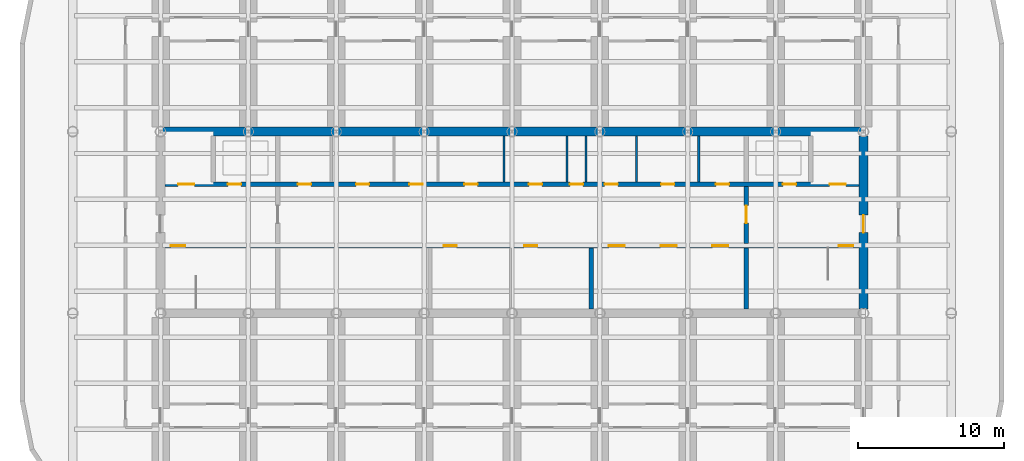
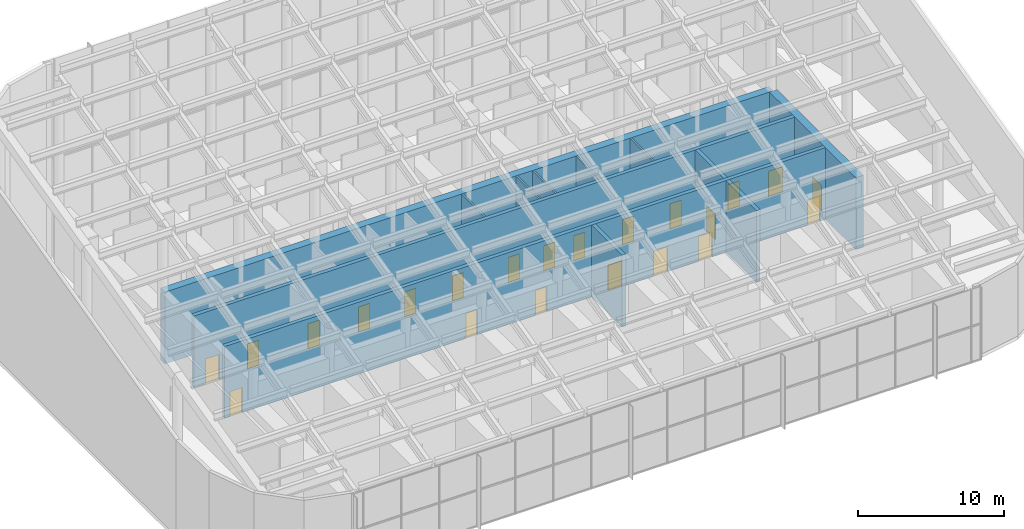
# One storey, part 11 of 14: 22 doors, 12 walls, 22 openings.
"""IFC4 building model written with IfcOpenShell, lengths in metres."""

from ifc_helpers import new_model, si_unit, direction, frame, frame_2d, origin, place, context, subcontext, project, spatial, rectangle, extrude, material, layer, layer_set, type_object, element, fill, save


model = new_model("IFC4")

# Units and contexts
model_context = context("Model", 3, precision=1e-05, world=origin(), true_north=direction((0.0, 1.0)))
body_context = subcontext(model_context, "Body", "Model", "MODEL_VIEW")
ifc_project = project(units=[si_unit("LENGTHUNIT", "METRE"), si_unit("AREAUNIT", "SQUARE_METRE"), si_unit("VOLUMEUNIT", "CUBIC_METRE"), si_unit("PLANEANGLEUNIT", "RADIAN"), si_unit("MASSUNIT", "GRAM", prefix="KILO")], contexts=[model_context])

# Site, building, storey
site_placement = place(None, origin())
site = spatial("IfcSite", under=ifc_project, at=site_placement, CompositionType="ELEMENT")
building_placement = place(site_placement, origin())
building = spatial("IfcBuilding", under=site, at=building_placement, Name="Orbita Commons", CompositionType="ELEMENT")
storey_placement = place(building_placement, frame((0.0, 0.0, 262.300048828125)))
storey = spatial("IfcBuildingStorey", under=building, at=storey_placement, Name="L65", CompositionType="ELEMENT", Elevation=262.300048828125)

# Wall, openings, doors
ifc_material_1 = material(Name="Concrete C50/60", Category="concrete")
ifc_layer_1 = layer(ifc_material_1, 0.300048828125)
ifc_layer_set_1 = layer_set([ifc_layer_1], Name="Concrete C50/60")
wall_type_1 = type_object("IfcWallType", Name="Core inner wall 300 C50/60", PredefinedType="SHEAR", material=ifc_layer_set_1)
wall_1_placement = place(storey_placement, frame((18.300048828125, 30.39990234375, 0.0), z_axis=(0.0, 0.0, 1.0), x_axis=(1.0, 0.0, 0.0)))
wall_1 = element("IfcWall", 1, at=wall_1_placement, inside=storey, type_object=wall_type_1, Name="Lobby wall south L65", PredefinedType="SHEAR", context=body_context, shape_type="SweptSolid", body=[
    extrude(rectangle(XDim=47.39990234375, YDim=0.300048828125, at=frame_2d((23.699951171875, 0.0))), origin(), (0.0, 0.0, 1.0), 6.0),
])
opening_1_placement = place(wall_1_placement, frame((0.39990234375, 0.0, 0.0)))
opening_1 = element("IfcOpeningElement", 2, at=opening_1_placement, cuts=wall_1, Name="Opening D02", PredefinedType="OPENING", context=body_context, shape_type="SweptSolid", body=[
    extrude(rectangle(XDim=1.0, YDim=2.10009765625, at=frame_2d((0.5, 1.050048828125))), frame((0.0, 0.159912109375, 0.0), z_axis=(0.0, -1.0, 0.0), x_axis=(1.0, 0.0, 0.0)), (0.0, 0.0, 1.0), 0.320068359375),
])
opening_2_placement = place(wall_1_placement, frame((46.0, 0.0, 0.0)))
opening_2 = element("IfcOpeningElement", 3, at=opening_2_placement, cuts=wall_1, Name="Opening D02", PredefinedType="OPENING", context=body_context, shape_type="SweptSolid", body=[
    extrude(rectangle(XDim=1.0, YDim=2.10009765625, at=frame_2d((0.5, 1.050048828125))), frame((0.0, 0.159912109375, 0.0), z_axis=(0.0, -1.0, 0.0), x_axis=(1.0, 0.0, 0.0)), (0.0, 0.0, 1.0), 0.320068359375),
])
opening_3_placement = place(wall_1_placement, frame((19.02490234375, 0.0, 0.0)))
opening_3 = element("IfcOpeningElement", 4, at=opening_3_placement, cuts=wall_1, Name="Opening D05", PredefinedType="OPENING", context=body_context, shape_type="SweptSolid", body=[
    extrude(rectangle(XDim=0.89990234375, YDim=2.10009765625, at=frame_2d((0.449951171875, 1.050048828125))), frame((0.0, 0.159912109375, 0.0), z_axis=(0.0, -1.0, 0.0), x_axis=(1.0, 0.0, 0.0)), (0.0, 0.0, 1.0), 0.320068359375),
])
opening_4_placement = place(wall_1_placement, frame((24.52490234375, 0.0, 0.0)))
opening_4 = element("IfcOpeningElement", 5, at=opening_4_placement, cuts=wall_1, Name="Opening D05", PredefinedType="OPENING", context=body_context, shape_type="SweptSolid", body=[
    extrude(rectangle(XDim=0.89990234375, YDim=2.10009765625, at=frame_2d((0.449951171875, 1.050048828125))), frame((0.0, 0.159912109375, 0.0), z_axis=(0.0, -1.0, 0.0), x_axis=(1.0, 0.0, 0.0)), (0.0, 0.0, 1.0), 0.320068359375),
])
opening_5_placement = place(wall_1_placement, frame((30.316650390625, 0.0, 0.0)))
opening_5 = element("IfcOpeningElement", 6, at=opening_5_placement, cuts=wall_1, Name="Opening LD02", PredefinedType="OPENING", context=body_context, shape_type="SweptSolid", body=[
    extrude(rectangle(XDim=1.10009765625, YDim=2.10009765625, at=frame_2d((0.550048828125, 1.050048828125))), frame((0.0, 0.159912109375, 0.0), z_axis=(0.0, -1.0, 0.0), x_axis=(1.0, 0.0, 0.0)), (0.0, 0.0, 1.0), 0.320068359375),
])
opening_6_placement = place(wall_1_placement, frame((33.85009765625, 0.0, 0.0)))
opening_6 = element("IfcOpeningElement", 7, at=opening_6_placement, cuts=wall_1, Name="Opening LD02", PredefinedType="OPENING", context=body_context, shape_type="SweptSolid", body=[
    extrude(rectangle(XDim=1.10009765625, YDim=2.10009765625, at=frame_2d((0.550048828125, 1.050048828125))), frame((0.0, 0.159912109375, 0.0), z_axis=(0.0, -1.0, 0.0), x_axis=(1.0, 0.0, 0.0)), (0.0, 0.0, 1.0), 0.320068359375),
])
opening_7_placement = place(wall_1_placement, frame((37.38330078125, 0.0, 0.0)))
opening_7 = element("IfcOpeningElement", 8, at=opening_7_placement, cuts=wall_1, Name="Opening LD02", PredefinedType="OPENING", context=body_context, shape_type="SweptSolid", body=[
    extrude(rectangle(XDim=1.10009765625, YDim=2.10009765625, at=frame_2d((0.550048828125, 1.050048828125))), frame((0.0, 0.159912109375, 0.0), z_axis=(0.0, -1.0, 0.0), x_axis=(1.0, 0.0, 0.0)), (0.0, 0.0, 1.0), 0.320068359375),
])
ifc_material_2 = material(Name="Steel-faced fire door leaf", Category="steel")
door_type_1 = type_object("IfcDoorType", Name="Fire door 90 min 1000x2100", OperationType="SINGLE_SWING_LEFT", PredefinedType="DOOR", material=ifc_material_2)
door_1_placement = place(opening_1_placement, origin())
door_1 = element("IfcDoor", 9, at=door_1_placement, inside=storey, type_object=door_type_1, Name="Stair S1 door", OperationType="SINGLE_SWING_LEFT", OverallHeight=2.10009765625, OverallWidth=1.0, PredefinedType="DOOR", context=body_context, shape_type="SweptSolid", body=[
    extrude(rectangle(XDim=1.0, YDim=2.10009765625, at=frame_2d((0.5, 1.050048828125))), frame((0.0, 0.02490234375, 0.0), z_axis=(0.0, -1.0, 0.0), x_axis=(1.0, 0.0, 0.0)), (0.0, 0.0, 1.0), 0.050048828125),
])
fill(opening_1, door_1)
door_2_placement = place(opening_2_placement, origin())
door_2 = element("IfcDoor", 10, at=door_2_placement, inside=storey, type_object=door_type_1, Name="Stair S2 door", OperationType="SINGLE_SWING_LEFT", OverallHeight=2.10009765625, OverallWidth=1.0, PredefinedType="DOOR", context=body_context, shape_type="SweptSolid", body=[
    extrude(rectangle(XDim=1.0, YDim=2.10009765625, at=frame_2d((0.5, 1.050048828125))), frame((0.0, 0.02490234375, 0.0), z_axis=(0.0, -1.0, 0.0), x_axis=(1.0, 0.0, 0.0)), (0.0, 0.0, 1.0), 0.050048828125),
])
fill(opening_2, door_2)
ifc_material_3 = material(Name="Steel-faced fire door leaf", Category="steel")
door_type_2 = type_object("IfcDoorType", Name="Lift landing door 1100x2100", OperationType="DOUBLE_DOOR_SLIDING", PredefinedType="DOOR", material=ifc_material_3)
door_3_placement = place(opening_5_placement, origin())
door_3 = element("IfcDoor", 11, at=door_3_placement, inside=storey, type_object=door_type_2, Name="Lift SV1 landing door", OperationType="DOUBLE_DOOR_SLIDING", OverallHeight=2.10009765625, OverallWidth=1.10009765625, PredefinedType="DOOR", context=body_context, shape_type="SweptSolid", body=[
    extrude(rectangle(XDim=1.10009765625, YDim=2.10009765625, at=frame_2d((0.550048828125, 1.050048828125))), frame((0.0, 0.02490234375, 0.0), z_axis=(0.0, -1.0, 0.0), x_axis=(1.0, 0.0, 0.0)), (0.0, 0.0, 1.0), 0.050048828125),
])
fill(opening_5, door_3)
door_4_placement = place(opening_6_placement, origin())
door_4 = element("IfcDoor", 12, at=door_4_placement, inside=storey, type_object=door_type_2, Name="Lift SV2 landing door", OperationType="DOUBLE_DOOR_SLIDING", OverallHeight=2.10009765625, OverallWidth=1.10009765625, PredefinedType="DOOR", context=body_context, shape_type="SweptSolid", body=[
    extrude(rectangle(XDim=1.10009765625, YDim=2.10009765625, at=frame_2d((0.550048828125, 1.050048828125))), frame((0.0, 0.02490234375, 0.0), z_axis=(0.0, -1.0, 0.0), x_axis=(1.0, 0.0, 0.0)), (0.0, 0.0, 1.0), 0.050048828125),
])
fill(opening_6, door_4)
door_5_placement = place(opening_7_placement, origin())
door_5 = element("IfcDoor", 13, at=door_5_placement, inside=storey, type_object=door_type_2, Name="Lift SV3 landing door", OperationType="DOUBLE_DOOR_SLIDING", OverallHeight=2.10009765625, OverallWidth=1.10009765625, PredefinedType="DOOR", context=body_context, shape_type="SweptSolid", body=[
    extrude(rectangle(XDim=1.10009765625, YDim=2.10009765625, at=frame_2d((0.550048828125, 1.050048828125))), frame((0.0, 0.02490234375, 0.0), z_axis=(0.0, -1.0, 0.0), x_axis=(1.0, 0.0, 0.0)), (0.0, 0.0, 1.0), 0.050048828125),
])
fill(opening_7, door_5)
ifc_material_4 = material(Name="Steel-faced fire door leaf", Category="steel")
door_type_3 = type_object("IfcDoorType", Name="Service door 20 min 900x2100", OperationType="SINGLE_SWING_LEFT", PredefinedType="DOOR", material=ifc_material_4)
door_6_placement = place(opening_3_placement, origin())
door_6 = element("IfcDoor", 14, at=door_6_placement, inside=storey, type_object=door_type_3, Name="Housekeeping store door", OperationType="SINGLE_SWING_LEFT", OverallHeight=2.10009765625, OverallWidth=0.89990234375, PredefinedType="DOOR", context=body_context, shape_type="SweptSolid", body=[
    extrude(rectangle(XDim=0.89990234375, YDim=2.10009765625, at=frame_2d((0.449951171875, 1.050048828125))), frame((0.0, 0.02490234375, 0.0), z_axis=(0.0, -1.0, 0.0), x_axis=(1.0, 0.0, 0.0)), (0.0, 0.0, 1.0), 0.050048828125),
])
fill(opening_3, door_6)
door_7_placement = place(opening_4_placement, origin())
door_7 = element("IfcDoor", 15, at=door_7_placement, inside=storey, type_object=door_type_3, Name="Linen store door", OperationType="SINGLE_SWING_LEFT", OverallHeight=2.10009765625, OverallWidth=0.89990234375, PredefinedType="DOOR", context=body_context, shape_type="SweptSolid", body=[
    extrude(rectangle(XDim=0.89990234375, YDim=2.10009765625, at=frame_2d((0.449951171875, 1.050048828125))), frame((0.0, 0.02490234375, 0.0), z_axis=(0.0, -1.0, 0.0), x_axis=(1.0, 0.0, 0.0)), (0.0, 0.0, 1.0), 0.050048828125),
])
fill(opening_4, door_7)

wall_2_placement = place(storey_placement, frame((18.300048828125, 34.60009765625, 0.0), z_axis=(0.0, 0.0, 1.0), x_axis=(1.0, 0.0, 0.0)))
wall_2 = element("IfcWall", 16, at=wall_2_placement, inside=storey, type_object=wall_type_1, Name="Lobby wall north L65", PredefinedType="SHEAR", context=body_context, shape_type="SweptSolid", body=[
    extrude(rectangle(XDim=47.39990234375, YDim=0.300048828125, at=frame_2d((23.699951171875, 0.0))), origin(), (0.0, 0.0, 1.0), 6.0),
])
opening_8_placement = place(wall_2_placement, frame((0.89990234375, 0.0, 0.0)))
opening_8 = element("IfcOpeningElement", 17, at=opening_8_placement, cuts=wall_2, Name="Opening LD01", PredefinedType="OPENING", context=body_context, shape_type="SweptSolid", body=[
    extrude(rectangle(XDim=1.10009765625, YDim=2.10009765625, at=frame_2d((0.550048828125, 1.050048828125))), frame((0.0, 0.159912109375, 0.0), z_axis=(0.0, -1.0, 0.0), x_axis=(1.0, 0.0, 0.0)), (0.0, 0.0, 1.0), 0.320068359375),
])
opening_9_placement = place(wall_2_placement, frame((45.39990234375, 0.0, 0.0)))
opening_9 = element("IfcOpeningElement", 18, at=opening_9_placement, cuts=wall_2, Name="Opening LD01", PredefinedType="OPENING", context=body_context, shape_type="SweptSolid", body=[
    extrude(rectangle(XDim=1.10009765625, YDim=2.10009765625, at=frame_2d((0.550048828125, 1.050048828125))), frame((0.0, 0.159912109375, 0.0), z_axis=(0.0, -1.0, 0.0), x_axis=(1.0, 0.0, 0.0)), (0.0, 0.0, 1.0), 0.320068359375),
])
opening_10_placement = place(wall_2_placement, frame((4.300048828125, 0.0, 0.0)))
opening_10 = element("IfcOpeningElement", 19, at=opening_10_placement, cuts=wall_2, Name="Opening D03", PredefinedType="OPENING", context=body_context, shape_type="SweptSolid", body=[
    extrude(rectangle(XDim=0.89990234375, YDim=2.10009765625, at=frame_2d((0.449951171875, 1.050048828125))), frame((0.0, 0.159912109375, 0.0), z_axis=(0.0, -1.0, 0.0), x_axis=(1.0, 0.0, 0.0)), (0.0, 0.0, 1.0), 0.320068359375),
])
opening_11_placement = place(wall_2_placement, frame((42.199951171875, 0.0, 0.0)))
opening_11 = element("IfcOpeningElement", 20, at=opening_11_placement, cuts=wall_2, Name="Opening D03", PredefinedType="OPENING", context=body_context, shape_type="SweptSolid", body=[
    extrude(rectangle(XDim=0.89990234375, YDim=2.10009765625, at=frame_2d((0.449951171875, 1.050048828125))), frame((0.0, 0.159912109375, 0.0), z_axis=(0.0, -1.0, 0.0), x_axis=(1.0, 0.0, 0.0)), (0.0, 0.0, 1.0), 0.320068359375),
])
opening_12_placement = place(wall_2_placement, frame((9.075439453125, 0.0, 0.0)))
opening_12 = element("IfcOpeningElement", 21, at=opening_12_placement, cuts=wall_2, Name="Opening D05", PredefinedType="OPENING", context=body_context, shape_type="SweptSolid", body=[
    extrude(rectangle(XDim=0.89990234375, YDim=2.10009765625, at=frame_2d((0.449951171875, 1.050048828125))), frame((0.0, 0.159912109375, 0.0), z_axis=(0.0, -1.0, 0.0), x_axis=(1.0, 0.0, 0.0)), (0.0, 0.0, 1.0), 0.320068359375),
])
opening_13_placement = place(wall_2_placement, frame((13.048583984375, 0.0, 0.0)))
opening_13 = element("IfcOpeningElement", 22, at=opening_13_placement, cuts=wall_2, Name="Opening D03", PredefinedType="OPENING", context=body_context, shape_type="SweptSolid", body=[
    extrude(rectangle(XDim=0.89990234375, YDim=2.10009765625, at=frame_2d((0.449951171875, 1.050048828125))), frame((0.0, 0.159912109375, 0.0), z_axis=(0.0, -1.0, 0.0), x_axis=(1.0, 0.0, 0.0)), (0.0, 0.0, 1.0), 0.320068359375),
])
opening_14_placement = place(wall_2_placement, frame((16.6962890625, 0.0, 0.0)))
opening_14 = element("IfcOpeningElement", 23, at=opening_14_placement, cuts=wall_2, Name="Opening D03", PredefinedType="OPENING", context=body_context, shape_type="SweptSolid", body=[
    extrude(rectangle(XDim=0.89990234375, YDim=2.10009765625, at=frame_2d((0.449951171875, 1.050048828125))), frame((0.0, 0.159912109375, 0.0), z_axis=(0.0, -1.0, 0.0), x_axis=(1.0, 0.0, 0.0)), (0.0, 0.0, 1.0), 0.320068359375),
])
opening_15_placement = place(wall_2_placement, frame((20.45458984375, 0.0, 0.0)))
opening_15 = element("IfcOpeningElement", 24, at=opening_15_placement, cuts=wall_2, Name="Opening D03", PredefinedType="OPENING", context=body_context, shape_type="SweptSolid", body=[
    extrude(rectangle(XDim=0.89990234375, YDim=2.10009765625, at=frame_2d((0.449951171875, 1.050048828125))), frame((0.0, 0.159912109375, 0.0), z_axis=(0.0, -1.0, 0.0), x_axis=(1.0, 0.0, 0.0)), (0.0, 0.0, 1.0), 0.320068359375),
])
opening_16_placement = place(wall_2_placement, frame((24.860595703125, 0.0, 0.0)))
opening_16 = element("IfcOpeningElement", 25, at=opening_16_placement, cuts=wall_2, Name="Opening D03", PredefinedType="OPENING", context=body_context, shape_type="SweptSolid", body=[
    extrude(rectangle(XDim=0.89990234375, YDim=2.10009765625, at=frame_2d((0.449951171875, 1.050048828125))), frame((0.0, 0.159912109375, 0.0), z_axis=(0.0, -1.0, 0.0), x_axis=(1.0, 0.0, 0.0)), (0.0, 0.0, 1.0), 0.320068359375),
])
opening_17_placement = place(wall_2_placement, frame((27.658447265625, 0.0, 0.0)))
opening_17 = element("IfcOpeningElement", 26, at=opening_17_placement, cuts=wall_2, Name="Opening D03", PredefinedType="OPENING", context=body_context, shape_type="SweptSolid", body=[
    extrude(rectangle(XDim=0.89990234375, YDim=2.10009765625, at=frame_2d((0.449951171875, 1.050048828125))), frame((0.0, 0.159912109375, 0.0), z_axis=(0.0, -1.0, 0.0), x_axis=(1.0, 0.0, 0.0)), (0.0, 0.0, 1.0), 0.320068359375),
])
opening_18_placement = place(wall_2_placement, frame((30.03076171875, 0.0, 0.0)))
opening_18 = element("IfcOpeningElement", 27, at=opening_18_placement, cuts=wall_2, Name="Opening D03", PredefinedType="OPENING", context=body_context, shape_type="SweptSolid", body=[
    extrude(rectangle(XDim=0.89990234375, YDim=2.10009765625, at=frame_2d((0.449951171875, 1.050048828125))), frame((0.0, 0.159912109375, 0.0), z_axis=(0.0, -1.0, 0.0), x_axis=(1.0, 0.0, 0.0)), (0.0, 0.0, 1.0), 0.320068359375),
])
opening_19_placement = place(wall_2_placement, frame((33.880615234375, 0.0, 0.0)))
opening_19 = element("IfcOpeningElement", 28, at=opening_19_placement, cuts=wall_2, Name="Opening D05", PredefinedType="OPENING", context=body_context, shape_type="SweptSolid", body=[
    extrude(rectangle(XDim=0.89990234375, YDim=2.10009765625, at=frame_2d((0.449951171875, 1.050048828125))), frame((0.0, 0.159912109375, 0.0), z_axis=(0.0, -1.0, 0.0), x_axis=(1.0, 0.0, 0.0)), (0.0, 0.0, 1.0), 0.320068359375),
])
opening_20_placement = place(wall_2_placement, frame((37.62890625, 0.0, 0.0)))
opening_20 = element("IfcOpeningElement", 29, at=opening_20_placement, cuts=wall_2, Name="Opening D03", PredefinedType="OPENING", context=body_context, shape_type="SweptSolid", body=[
    extrude(rectangle(XDim=0.89990234375, YDim=2.10009765625, at=frame_2d((0.449951171875, 1.050048828125))), frame((0.0, 0.159912109375, 0.0), z_axis=(0.0, -1.0, 0.0), x_axis=(1.0, 0.0, 0.0)), (0.0, 0.0, 1.0), 0.320068359375),
])
ifc_material_5 = material(Name="Steel-faced fire door leaf", Category="steel")
door_type_4 = type_object("IfcDoorType", Name="Firefighting lift landing door 1100x2100", OperationType="DOUBLE_DOOR_SLIDING", PredefinedType="DOOR", material=ifc_material_5)
door_8_placement = place(opening_8_placement, origin())
door_8 = element("IfcDoor", 30, at=door_8_placement, inside=storey, type_object=door_type_4, Name="Firefighting lift FL1 landing door", OperationType="DOUBLE_DOOR_SLIDING", OverallHeight=2.10009765625, OverallWidth=1.10009765625, PredefinedType="DOOR", context=body_context, shape_type="SweptSolid", body=[
    extrude(rectangle(XDim=1.10009765625, YDim=2.10009765625, at=frame_2d((0.550048828125, 1.050048828125))), frame((0.0, 0.02490234375, 0.0), z_axis=(0.0, -1.0, 0.0), x_axis=(1.0, 0.0, 0.0)), (0.0, 0.0, 1.0), 0.050048828125),
])
fill(opening_8, door_8)
door_9_placement = place(opening_9_placement, origin())
door_9 = element("IfcDoor", 31, at=door_9_placement, inside=storey, type_object=door_type_4, Name="Firefighting lift FL2 landing door", OperationType="DOUBLE_DOOR_SLIDING", OverallHeight=2.10009765625, OverallWidth=1.10009765625, PredefinedType="DOOR", context=body_context, shape_type="SweptSolid", body=[
    extrude(rectangle(XDim=1.10009765625, YDim=2.10009765625, at=frame_2d((0.550048828125, 1.050048828125))), frame((0.0, 0.02490234375, 0.0), z_axis=(0.0, -1.0, 0.0), x_axis=(1.0, 0.0, 0.0)), (0.0, 0.0, 1.0), 0.050048828125),
])
fill(opening_9, door_9)
door_10_placement = place(opening_12_placement, origin())
door_10 = element("IfcDoor", 32, at=door_10_placement, inside=storey, type_object=door_type_3, Name="Accessible WC door", OperationType="SINGLE_SWING_LEFT", OverallHeight=2.10009765625, OverallWidth=0.89990234375, PredefinedType="DOOR", context=body_context, shape_type="SweptSolid", body=[
    extrude(rectangle(XDim=0.89990234375, YDim=2.10009765625, at=frame_2d((0.449951171875, 1.050048828125))), frame((0.0, 0.02490234375, 0.0), z_axis=(0.0, -1.0, 0.0), x_axis=(1.0, 0.0, 0.0)), (0.0, 0.0, 1.0), 0.050048828125),
])
fill(opening_12, door_10)
door_11_placement = place(opening_19_placement, origin())
door_11 = element("IfcDoor", 33, at=door_11_placement, inside=storey, type_object=door_type_3, Name="Guest pantry door", OperationType="SINGLE_SWING_LEFT", OverallHeight=2.10009765625, OverallWidth=0.89990234375, PredefinedType="DOOR", context=body_context, shape_type="SweptSolid", body=[
    extrude(rectangle(XDim=0.89990234375, YDim=2.10009765625, at=frame_2d((0.449951171875, 1.050048828125))), frame((0.0, 0.02490234375, 0.0), z_axis=(0.0, -1.0, 0.0), x_axis=(1.0, 0.0, 0.0)), (0.0, 0.0, 1.0), 0.050048828125),
])
fill(opening_19, door_11)
ifc_material_6 = material(Name="Steel-faced fire door leaf", Category="steel")
door_type_5 = type_object("IfcDoorType", Name="Shaft access door 90 min 900x2100", OperationType="SINGLE_SWING_LEFT", PredefinedType="DOOR", material=ifc_material_6)
door_12_placement = place(opening_10_placement, origin())
door_12 = element("IfcDoor", 34, at=door_12_placement, inside=storey, type_object=door_type_5, Name="Riser door west", OperationType="SINGLE_SWING_LEFT", OverallHeight=2.10009765625, OverallWidth=0.89990234375, PredefinedType="DOOR", context=body_context, shape_type="SweptSolid", body=[
    extrude(rectangle(XDim=0.89990234375, YDim=2.10009765625, at=frame_2d((0.449951171875, 1.050048828125))), frame((0.0, 0.02490234375, 0.0), z_axis=(0.0, -1.0, 0.0), x_axis=(1.0, 0.0, 0.0)), (0.0, 0.0, 1.0), 0.050048828125),
])
fill(opening_10, door_12)
door_13_placement = place(opening_11_placement, origin())
door_13 = element("IfcDoor", 35, at=door_13_placement, inside=storey, type_object=door_type_5, Name="Riser door east", OperationType="SINGLE_SWING_LEFT", OverallHeight=2.10009765625, OverallWidth=0.89990234375, PredefinedType="DOOR", context=body_context, shape_type="SweptSolid", body=[
    extrude(rectangle(XDim=0.89990234375, YDim=2.10009765625, at=frame_2d((0.449951171875, 1.050048828125))), frame((0.0, 0.02490234375, 0.0), z_axis=(0.0, -1.0, 0.0), x_axis=(1.0, 0.0, 0.0)), (0.0, 0.0, 1.0), 0.050048828125),
])
fill(opening_11, door_13)
door_14_placement = place(opening_13_placement, origin())
door_14 = element("IfcDoor", 36, at=door_14_placement, inside=storey, type_object=door_type_5, Name="Refuse chute room door", OperationType="SINGLE_SWING_LEFT", OverallHeight=2.10009765625, OverallWidth=0.89990234375, PredefinedType="DOOR", context=body_context, shape_type="SweptSolid", body=[
    extrude(rectangle(XDim=0.89990234375, YDim=2.10009765625, at=frame_2d((0.449951171875, 1.050048828125))), frame((0.0, 0.02490234375, 0.0), z_axis=(0.0, -1.0, 0.0), x_axis=(1.0, 0.0, 0.0)), (0.0, 0.0, 1.0), 0.050048828125),
])
fill(opening_13, door_14)
door_15_placement = place(opening_14_placement, origin())
door_15 = element("IfcDoor", 37, at=door_15_placement, inside=storey, type_object=door_type_5, Name="Electrical riser room door", OperationType="SINGLE_SWING_LEFT", OverallHeight=2.10009765625, OverallWidth=0.89990234375, PredefinedType="DOOR", context=body_context, shape_type="SweptSolid", body=[
    extrude(rectangle(XDim=0.89990234375, YDim=2.10009765625, at=frame_2d((0.449951171875, 1.050048828125))), frame((0.0, 0.02490234375, 0.0), z_axis=(0.0, -1.0, 0.0), x_axis=(1.0, 0.0, 0.0)), (0.0, 0.0, 1.0), 0.050048828125),
])
fill(opening_14, door_15)
door_16_placement = place(opening_15_placement, origin())
door_16 = element("IfcDoor", 38, at=door_16_placement, inside=storey, type_object=door_type_5, Name="Storage room door", OperationType="SINGLE_SWING_LEFT", OverallHeight=2.10009765625, OverallWidth=0.89990234375, PredefinedType="DOOR", context=body_context, shape_type="SweptSolid", body=[
    extrude(rectangle(XDim=0.89990234375, YDim=2.10009765625, at=frame_2d((0.449951171875, 1.050048828125))), frame((0.0, 0.02490234375, 0.0), z_axis=(0.0, -1.0, 0.0), x_axis=(1.0, 0.0, 0.0)), (0.0, 0.0, 1.0), 0.050048828125),
])
fill(opening_15, door_16)
door_17_placement = place(opening_16_placement, origin())
door_17 = element("IfcDoor", 39, at=door_17_placement, inside=storey, type_object=door_type_5, Name="Communications room door", OperationType="SINGLE_SWING_LEFT", OverallHeight=2.10009765625, OverallWidth=0.89990234375, PredefinedType="DOOR", context=body_context, shape_type="SweptSolid", body=[
    extrude(rectangle(XDim=0.89990234375, YDim=2.10009765625, at=frame_2d((0.449951171875, 1.050048828125))), frame((0.0, 0.02490234375, 0.0), z_axis=(0.0, -1.0, 0.0), x_axis=(1.0, 0.0, 0.0)), (0.0, 0.0, 1.0), 0.050048828125),
])
fill(opening_16, door_17)
door_18_placement = place(opening_17_placement, origin())
door_18 = element("IfcDoor", 40, at=door_18_placement, inside=storey, type_object=door_type_5, Name="Stair pressurisation duct door", OperationType="SINGLE_SWING_LEFT", OverallHeight=2.10009765625, OverallWidth=0.89990234375, PredefinedType="DOOR", context=body_context, shape_type="SweptSolid", body=[
    extrude(rectangle(XDim=0.89990234375, YDim=2.10009765625, at=frame_2d((0.449951171875, 1.050048828125))), frame((0.0, 0.02490234375, 0.0), z_axis=(0.0, -1.0, 0.0), x_axis=(1.0, 0.0, 0.0)), (0.0, 0.0, 1.0), 0.050048828125),
])
fill(opening_17, door_18)
door_19_placement = place(opening_18_placement, origin())
door_19 = element("IfcDoor", 41, at=door_19_placement, inside=storey, type_object=door_type_5, Name="IT room door", OperationType="SINGLE_SWING_LEFT", OverallHeight=2.10009765625, OverallWidth=0.89990234375, PredefinedType="DOOR", context=body_context, shape_type="SweptSolid", body=[
    extrude(rectangle(XDim=0.89990234375, YDim=2.10009765625, at=frame_2d((0.449951171875, 1.050048828125))), frame((0.0, 0.02490234375, 0.0), z_axis=(0.0, -1.0, 0.0), x_axis=(1.0, 0.0, 0.0)), (0.0, 0.0, 1.0), 0.050048828125),
])
fill(opening_18, door_19)
door_20_placement = place(opening_20_placement, origin())
door_20 = element("IfcDoor", 42, at=door_20_placement, inside=storey, type_object=door_type_5, Name="Cleaners store door", OperationType="SINGLE_SWING_LEFT", OverallHeight=2.10009765625, OverallWidth=0.89990234375, PredefinedType="DOOR", context=body_context, shape_type="SweptSolid", body=[
    extrude(rectangle(XDim=0.89990234375, YDim=2.10009765625, at=frame_2d((0.449951171875, 1.050048828125))), frame((0.0, 0.02490234375, 0.0), z_axis=(0.0, -1.0, 0.0), x_axis=(1.0, 0.0, 0.0)), (0.0, 0.0, 1.0), 0.050048828125),
])
fill(opening_20, door_20)

# Wall
wall_3_placement = place(storey_placement, frame((58.0, 26.10009765625, 0.0), z_axis=(0.0, 0.0, 1.0), x_axis=(0.0, 1.0, 0.0)))
element("IfcWall", 43, at=wall_3_placement, inside=storey, type_object=wall_type_1, Name="Stair S2 wall L65", PredefinedType="SHEAR", context=body_context, shape_type="SweptSolid", body=[
    extrude(rectangle(XDim=4.14990234375, YDim=0.300048828125, at=frame_2d((2.074951171875, 0.0))), origin(), (0.0, 0.0, 1.0), 6.0),
])

# Wall, opening, door
wall_4_placement = place(storey_placement, frame((58.0, 30.550048828125, 0.0), z_axis=(0.0, 0.0, 1.0), x_axis=(0.0, 1.0, 0.0)))
wall_4 = element("IfcWall", 44, at=wall_4_placement, inside=storey, type_object=wall_type_1, Name="Firefighting lobby wall east L65", PredefinedType="SHEAR", context=body_context, shape_type="SweptSolid", body=[
    extrude(rectangle(XDim=3.89990234375, YDim=0.300048828125, at=frame_2d((1.949951171875, 0.0))), origin(), (0.0, 0.0, 1.0), 6.0),
])
opening_21_placement = place(wall_4_placement, frame((1.39990234375, 0.0, 0.0)))
opening_21 = element("IfcOpeningElement", 45, at=opening_21_placement, cuts=wall_4, Name="Opening D04", PredefinedType="OPENING", context=body_context, shape_type="SweptSolid", body=[
    extrude(rectangle(XDim=1.199951171875, YDim=2.10009765625, at=frame_2d((0.60009765625, 1.050048828125))), frame((0.0, 0.159912109375, 0.0), z_axis=(0.0, -1.0, 0.0), x_axis=(1.0, 0.0, 0.0)), (0.0, 0.0, 1.0), 0.320068359375),
])
ifc_material_7 = material(Name="Steel-faced fire door leaf", Category="steel")
door_type_6 = type_object("IfcDoorType", Name="Service door 20 min 1200x2100", OperationType="SINGLE_SWING_LEFT", PredefinedType="DOOR", material=ifc_material_7)
door_21_placement = place(opening_21_placement, origin())
door_21 = element("IfcDoor", 46, at=door_21_placement, inside=storey, type_object=door_type_6, Name="Lift lobby door east", OperationType="SINGLE_SWING_LEFT", OverallHeight=2.10009765625, OverallWidth=1.199951171875, PredefinedType="DOOR", context=body_context, shape_type="SweptSolid", body=[
    extrude(rectangle(XDim=1.199951171875, YDim=2.10009765625, at=frame_2d((0.60009765625, 1.050048828125))), frame((0.0, 0.02490234375, 0.0), z_axis=(0.0, -1.0, 0.0), x_axis=(1.0, 0.0, 0.0)), (0.0, 0.0, 1.0), 0.050048828125),
])
fill(opening_21, door_21)

# Walls
wall_5_placement = place(storey_placement, frame((47.39990234375, 26.10009765625, 0.0), z_axis=(0.0, 0.0, 1.0), x_axis=(0.0, 1.0, 0.0)))
element("IfcWall", 47, at=wall_5_placement, inside=storey, type_object=wall_type_1, Name="Hoistway division wall L65", PredefinedType="SHEAR", context=body_context, shape_type="SweptSolid", body=[
    extrude(rectangle(XDim=4.14990234375, YDim=0.300048828125, at=frame_2d((2.074951171875, 0.0))), origin(), (0.0, 0.0, 1.0), 6.0),
])
ifc_material_8 = material(Name="Concrete blockwork", Category="masonry")
ifc_layer_2 = layer(ifc_material_8, 0.14990234375)
ifc_layer_set_2 = layer_set([ifc_layer_2], Name="Concrete blockwork")
wall_type_2 = type_object("IfcWallType", Name="Core partition 150 blockwork", PredefinedType="SOLIDWALL", material=ifc_layer_set_2)
for number, where, z_axis, x_axis, name in (
    (48, (41.463134765625, 34.75, 0.0), (0.0, 0.0, 1.0), (0.0, 1.0, 0.0), "Core partition 150 blockwork L65"),
    (49, (45.75830078125, 34.75, 0.0), (0.0, 0.0, 1.0), (0.0, 1.0, 0.0), "Core partition 150 blockwork L65"),
    (50, (47.058349609375, 34.75, 0.0), (0.0, 0.0, 1.0), (0.0, 1.0, 0.0), "Core partition 150 blockwork L65"),
    (51, (50.5029296875, 34.75, 0.0), (0.0, 0.0, 1.0), (0.0, 1.0, 0.0), "Core partition 150 blockwork L65"),
    (52, (54.758056640625, 34.75, 0.0), (0.0, 0.0, 1.0), (0.0, 1.0, 0.0), "Core partition 150 blockwork L65"),
):
    element("IfcWall", number, at=place(storey_placement, frame(where, z_axis=z_axis, x_axis=x_axis)), inside=storey, type_object=wall_type_2, Name=name, PredefinedType="SOLIDWALL", context=body_context, shape_type="SweptSolid", body=[
        extrude(rectangle(XDim=3.14990234375, YDim=0.14990234375, at=frame_2d((1.574951171875, 0.0))), origin(), (0.0, 0.0, 1.0), 6.0),
    ])
ifc_material_9 = material(Name="Concrete C50/60", Category="concrete")
ifc_layer_3 = layer(ifc_material_9, 0.60009765625)
ifc_layer_set_3 = layer_set([ifc_layer_3], Name="Concrete C50/60")
wall_type_3 = type_object("IfcWallType", Name="Core wall 600 C50/60", PredefinedType="SHEAR", material=ifc_layer_set_3)
wall_6_placement = place(storey_placement, frame((18.0, 38.199951171875, 0.0), z_axis=(0.0, 0.0, 1.0), x_axis=(1.0, 0.0, 0.0)))
element("IfcWall", 53, at=wall_6_placement, inside=storey, type_object=wall_type_3, Name="Core spine wall north L65", PredefinedType="SHEAR", context=body_context, shape_type="SweptSolid", body=[
    extrude(rectangle(XDim=48.0, YDim=0.60009765625, at=frame_2d((24.0, 0.0))), origin(), (0.0, 0.0, 1.0), 6.0),
])

# Wall, opening, door
wall_7_placement = place(storey_placement, frame((66.0, 26.10009765625, 0.0), z_axis=(0.0, 0.0, 1.0), x_axis=(0.0, 1.0, 0.0)))
wall_7 = element("IfcWall", 54, at=wall_7_placement, inside=storey, type_object=wall_type_3, Name="Core end wall east L65", PredefinedType="SHEAR", context=body_context, shape_type="SweptSolid", body=[
    extrude(rectangle(XDim=11.7998046875, YDim=0.60009765625, at=frame_2d((5.89990234375, 0.0))), origin(), (0.0, 0.0, 1.0), 6.0),
])
opening_22_placement = place(wall_7_placement, frame((5.199951171875, 0.0, 0.0)))
opening_22 = element("IfcOpeningElement", 55, at=opening_22_placement, cuts=wall_7, Name="Opening D01", PredefinedType="OPENING", context=body_context, shape_type="SweptSolid", body=[
    extrude(rectangle(XDim=1.199951171875, YDim=2.10009765625, at=frame_2d((0.60009765625, 1.050048828125))), frame((0.0, 0.31005859375, 0.0), z_axis=(0.0, -1.0, 0.0), x_axis=(1.0, 0.0, 0.0)), (0.0, 0.0, 1.0), 0.6201171875),
])
ifc_material_10 = material(Name="Steel-faced fire door leaf", Category="steel")
door_type_7 = type_object("IfcDoorType", Name="Fire door 90 min 1200x2100", OperationType="SINGLE_SWING_LEFT", PredefinedType="DOOR", material=ifc_material_10)
door_22_placement = place(opening_22_placement, origin())
door_22 = element("IfcDoor", 56, at=door_22_placement, inside=storey, type_object=door_type_7, Name="Firefighting lobby east door", OperationType="SINGLE_SWING_LEFT", OverallHeight=2.10009765625, OverallWidth=1.199951171875, PredefinedType="DOOR", context=body_context, shape_type="SweptSolid", body=[
    extrude(rectangle(XDim=1.199951171875, YDim=2.10009765625, at=frame_2d((0.60009765625, 1.050048828125))), frame((0.0, 0.02490234375, 0.0), z_axis=(0.0, -1.0, 0.0), x_axis=(1.0, 0.0, 0.0)), (0.0, 0.0, 1.0), 0.050048828125),
])
fill(opening_22, door_22)

save(model, "model.ifc")
